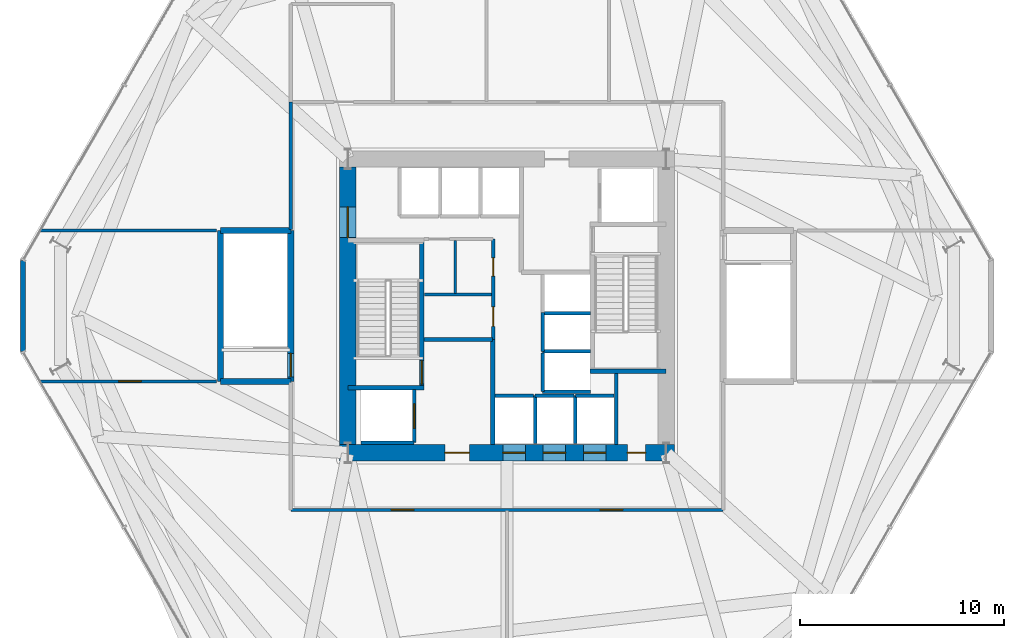
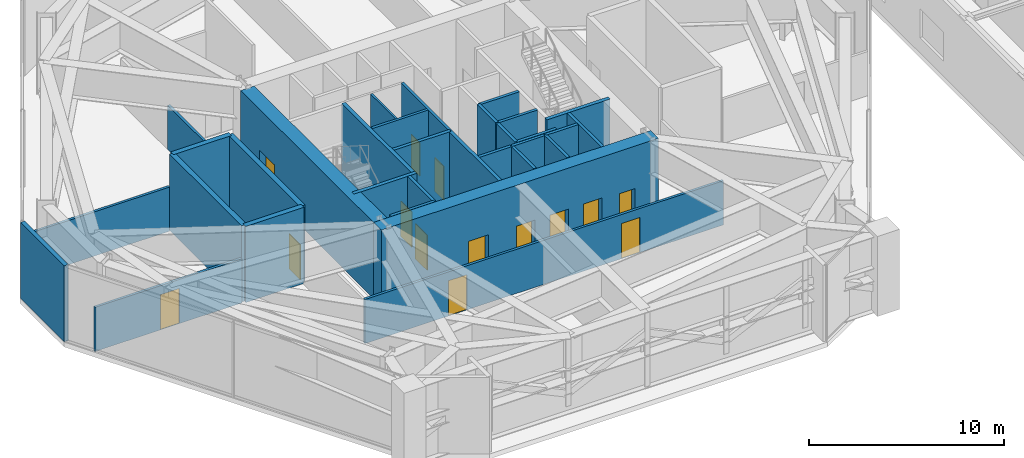
# One storey, part 11 of 16: 32 walls, 14 doors, 14 openings.
"""IFC4 building model written with IfcOpenShell, lengths in metres."""

from ifc_helpers import new_model, si_unit, direction, frame, frame_2d, origin, place, context, subcontext, project, spatial, rectangle, extrude, material, layer, layer_set, type_object, element, fill, save


model = new_model("IFC4")

# Units and contexts
model_context = context("Model", 3, precision=1e-05, world=origin(), true_north=direction((0.0, 1.0)))
body_context = subcontext(model_context, "Body", "Model", "MODEL_VIEW")
ifc_project = project(units=[si_unit("LENGTHUNIT", "METRE"), si_unit("AREAUNIT", "SQUARE_METRE"), si_unit("VOLUMEUNIT", "CUBIC_METRE"), si_unit("PLANEANGLEUNIT", "RADIAN"), si_unit("MASSUNIT", "GRAM", prefix="KILO")], contexts=[model_context])

# Site, building, storey
site_placement = place(None, origin())
site = spatial("IfcSite", under=ifc_project, at=site_placement, CompositionType="ELEMENT")
building_placement = place(site_placement, origin())
building = spatial("IfcBuilding", under=site, at=building_placement, Name="Kranzbogen Civic Tower", CompositionType="ELEMENT")
storey_placement = place(building_placement, frame((0.0, 0.0, 19.0)))
storey = spatial("IfcBuildingStorey", under=building, at=storey_placement, Name="L04", CompositionType="ELEMENT", Elevation=19.0)

# Wall, openings, doors
ifc_material_1 = material(Name="Double-Stud Acoustic Gypsum Partition")
ifc_layer_1 = layer(ifc_material_1, 0.14990234375, Name="Double-Stud Acoustic Gypsum Partition")
ifc_layer_set_1 = layer_set([ifc_layer_1], Name="Double-Stud Acoustic Gypsum Partition")
wall_type_1 = type_object("IfcWallType", Name="Acoustic Corridor and Clinical Partition 150 mm", PredefinedType="PARTITIONING", material=ifc_layer_set_1)
wall_1_placement = place(storey_placement, frame((14.39990234375, 15.0, 0.0), z_axis=(0.0, 0.0, 1.0), x_axis=(1.0, 0.0, 0.0)))
wall_1 = element("IfcWall", 1, at=wall_1_placement, inside=storey, type_object=wall_type_1, Name="L04 podium concourse S wall", PredefinedType="PARTITIONING", context=body_context, shape_type="SweptSolid", body=[
    extrude(rectangle(XDim=21.2001953125, YDim=0.14990234375, at=frame_2d((10.60009765625, 0.0))), origin(), (0.0, 0.0, 1.0), 2.760009765625),
])
opening_1_placement = place(wall_1_placement, frame((4.93408203125, 0.0, 0.0)))
opening_1 = element("IfcOpeningElement", 2, at=opening_1_placement, cuts=wall_1, Name="Opening D-COR60", PredefinedType="OPENING", context=body_context, shape_type="SweptSolid", body=[
    extrude(rectangle(XDim=1.10009765625, YDim=2.199951171875, at=frame_2d((0.550048828125, 1.10009765625))), frame((0.0, 0.0849609375, 0.0), z_axis=(0.0, -1.0, 0.0), x_axis=(1.0, 0.0, 0.0)), (0.0, 0.0, 1.0), 0.169921875),
])
opening_2_placement = place(wall_1_placement, frame((15.166015625, 0.0, 0.0)))
opening_2 = element("IfcOpeningElement", 3, at=opening_2_placement, cuts=wall_1, Name="Opening D-COR60", PredefinedType="OPENING", context=body_context, shape_type="SweptSolid", body=[
    extrude(rectangle(XDim=1.10009765625, YDim=2.199951171875, at=frame_2d((0.550048828125, 1.10009765625))), frame((0.0, 0.0849609375, 0.0), z_axis=(0.0, -1.0, 0.0), x_axis=(1.0, 0.0, 0.0)), (0.0, 0.0, 1.0), 0.169921875),
])
ifc_material_2 = material(Name="Oak Timber and Fire Core", Category="wood")
door_type_1 = type_object("IfcDoorType", Name="Corridor Acoustic Fire Door 1100x2200", OperationType="NOTDEFINED", PredefinedType="DOOR", material=ifc_material_2)
door_1_placement = place(opening_1_placement, origin())
door_1 = element("IfcDoor", 4, at=door_1_placement, inside=storey, type_object=door_type_1, Name="L04 Civic Media Conference Hall door", OperationType="SINGLE_SWING_RIGHT", OverallHeight=2.199951171875, OverallWidth=1.10009765625, PredefinedType="DOOR", context=body_context, shape_type="SweptSolid", body=[
    extrude(rectangle(XDim=1.10009765625, YDim=2.199951171875, at=frame_2d((0.550048828125, 1.10009765625))), frame((0.0, 0.02490234375, 0.0), z_axis=(0.0, -1.0, 0.0), x_axis=(1.0, 0.0, 0.0)), (0.0, 0.0, 1.0), 0.050048828125),
])
fill(opening_1, door_1)
door_2_placement = place(opening_2_placement, origin())
door_2 = element("IfcDoor", 5, at=door_2_placement, inside=storey, type_object=door_type_1, Name="L04 Simultaneous Translation Suite door", OperationType="SINGLE_SWING_LEFT", OverallHeight=2.199951171875, OverallWidth=1.10009765625, PredefinedType="DOOR", context=body_context, shape_type="SweptSolid", body=[
    extrude(rectangle(XDim=1.10009765625, YDim=2.199951171875, at=frame_2d((0.550048828125, 1.10009765625))), frame((0.0, 0.02490234375, 0.0), z_axis=(0.0, -1.0, 0.0), x_axis=(1.0, 0.0, 0.0)), (0.0, 0.0, 1.0), 0.050048828125),
])
fill(opening_2, door_2)

# Wall
wall_2_placement = place(storey_placement, frame((14.39990234375, 28.75, 0.0), z_axis=(0.0, 0.0, 1.0), x_axis=(0.0, 1.0, 0.0)))
element("IfcWall", 6, at=wall_2_placement, inside=storey, type_object=wall_type_1, Name="L04 podium concourse W2 wall", PredefinedType="PARTITIONING", context=body_context, shape_type="SweptSolid", body=[
    extrude(rectangle(XDim=6.25, YDim=0.14990234375, at=frame_2d((3.125, 0.0))), origin(), (0.0, 0.0, 1.0), 2.760009765625),
])

# Wall, opening, door
wall_3_placement = place(storey_placement, frame((2.080078125, 21.300048828125, 0.0), z_axis=(0.0, 0.0, 1.0), x_axis=(1.0, 0.0, 0.0)))
wall_3 = element("IfcWall", 7, at=wall_3_placement, inside=storey, type_object=wall_type_1, Name="L04 podium partition 04", PredefinedType="PARTITIONING", context=body_context, shape_type="SweptSolid", body=[
    extrude(rectangle(XDim=8.68994140625, YDim=0.14990234375, at=frame_2d((4.344970703125, 0.0))), origin(), (0.0, 0.0, 1.0), 2.760009765625),
])
opening_3_placement = place(wall_3_placement, frame((3.884033203125, 0.0, 0.0)))
opening_3 = element("IfcOpeningElement", 8, at=opening_3_placement, cuts=wall_3, Name="Opening D-COR60", PredefinedType="OPENING", context=body_context, shape_type="SweptSolid", body=[
    extrude(rectangle(XDim=1.10009765625, YDim=2.199951171875, at=frame_2d((0.550048828125, 1.10009765625))), frame((0.0, 0.0849609375, 0.0), z_axis=(0.0, -1.0, 0.0), x_axis=(1.0, 0.0, 0.0)), (0.0, 0.0, 1.0), 0.169921875),
])
door_3_placement = place(opening_3_placement, origin())
door_3 = element("IfcDoor", 9, at=door_3_placement, inside=storey, type_object=door_type_1, Name="L04 Technical Audio Control door", OperationType="SINGLE_SWING_LEFT", OverallHeight=2.199951171875, OverallWidth=1.10009765625, PredefinedType="DOOR", context=body_context, shape_type="SweptSolid", body=[
    extrude(rectangle(XDim=1.10009765625, YDim=2.199951171875, at=frame_2d((0.550048828125, 1.10009765625))), frame((0.0, 0.02490234375, 0.0), z_axis=(0.0, -1.0, 0.0), x_axis=(1.0, 0.0, 0.0)), (0.0, 0.0, 1.0), 0.050048828125),
])
fill(opening_3, door_3)

# Walls
wall_4_placement = place(storey_placement, frame((2.080078125, 28.699951171875, 0.0), z_axis=(0.0, 0.0, 1.0), x_axis=(1.0, 0.0, 0.0)))
element("IfcWall", 10, at=wall_4_placement, inside=storey, type_object=wall_type_1, Name="L04 podium partition 05", PredefinedType="PARTITIONING", context=body_context, shape_type="SweptSolid", body=[
    extrude(rectangle(XDim=8.68994140625, YDim=0.14990234375, at=frame_2d((4.344970703125, 0.0))), origin(), (0.0, 0.0, 1.0), 2.760009765625),
])
ifc_material_3 = material(Name="Insulated Metal-Stud Gypsum Partition")
ifc_layer_2 = layer(ifc_material_3, 0.125, Name="Insulated Metal-Stud Gypsum Partition")
ifc_layer_set_2 = layer_set([ifc_layer_2], Name="Insulated Metal-Stud Gypsum Partition")
wall_type_2 = type_object("IfcWallType", Name="Acoustic Inter-Room Partition 125 mm", PredefinedType="PARTITIONING", material=ifc_layer_set_2)
wall_5_placement = place(storey_placement, frame((22.4599609375, 25.6201171875, 0.0), z_axis=(0.0, 0.0, 1.0), x_axis=(0.0, 1.0, 0.0)))
element("IfcWall", 11, at=wall_5_placement, inside=storey, type_object=wall_type_2, Name="L04 core auxiliary partition 2", PredefinedType="PARTITIONING", context=body_context, shape_type="SweptSolid", body=[
    extrude(rectangle(XDim=2.579833984375, YDim=0.125, at=frame_2d((1.2900390625, 0.0))), origin(), (0.0, 0.0, 1.0), 4.760009765625),
])

# Wall, openings, doors
ifc_material_4 = material(Name="Concrete C55/67", Category="concrete")
ifc_layer_3 = layer(ifc_material_4, 0.800048828125, Name="Concrete C55/67")
ifc_layer_set_3 = layer_set([ifc_layer_3], Name="Concrete C55/67")
wall_type_3 = type_object("IfcWallType", Name="Central Core Shear Wall 800 mm", PredefinedType="SHEAR", material=ifc_layer_set_3)
wall_6_placement = place(storey_placement, frame((16.800048828125, 17.800048828125, 0.0), z_axis=(0.0, 0.0, 1.0), x_axis=(1.0, 0.0, 0.0)))
wall_6 = element("IfcWall", 12, at=wall_6_placement, inside=storey, type_object=wall_type_3, Name="L04 central core South shear wall", PredefinedType="SHEAR", context=body_context, shape_type="SweptSolid", body=[
    extrude(rectangle(XDim=16.39990234375, YDim=0.800048828125, at=frame_2d((8.199951171875, 0.0))), origin(), (0.0, 0.0, 1.0), 4.760009765625),
])
opening_4_placement = place(wall_6_placement, frame((5.14990234375, 0.0, 0.0)))
opening_4 = element("IfcOpeningElement", 13, at=opening_4_placement, cuts=wall_6, Name="Opening D-EX120", PredefinedType="OPENING", context=body_context, shape_type="SweptSolid", body=[
    extrude(rectangle(XDim=1.199951171875, YDim=2.25, at=frame_2d((0.60009765625, 1.125))), frame((0.0, 0.41015625, 0.0), z_axis=(0.0, -1.0, 0.0), x_axis=(1.0, 0.0, 0.0)), (0.0, 0.0, 1.0), 0.820068359375),
])
opening_5_placement = place(wall_6_placement, frame((14.10009765625, 0.0, 0.0)))
opening_5 = element("IfcOpeningElement", 14, at=opening_5_placement, cuts=wall_6, Name="Opening D-WC90", PredefinedType="OPENING", context=body_context, shape_type="SweptSolid", body=[
    extrude(rectangle(XDim=0.89990234375, YDim=2.10009765625, at=frame_2d((0.449951171875, 1.050048828125))), frame((0.0, 0.41015625, 0.0), z_axis=(0.0, -1.0, 0.0), x_axis=(1.0, 0.0, 0.0)), (0.0, 0.0, 1.0), 0.820068359375),
])
opening_6_placement = place(wall_6_placement, frame((8.0, 0.0, 0.0)))
opening_6 = element("IfcOpeningElement", 15, at=opening_6_placement, cuts=wall_6, Name="Opening LD-LP-01", PredefinedType="OPENING", context=body_context, shape_type="SweptSolid", body=[
    extrude(rectangle(XDim=1.10009765625, YDim=2.199951171875, at=frame_2d((0.550048828125, 1.10009765625))), frame((0.0, 0.41015625, 0.0), z_axis=(0.0, -1.0, 0.0), x_axis=(1.0, 0.0, 0.0)), (0.0, 0.0, 1.0), 0.820068359375),
])
opening_7_placement = place(wall_6_placement, frame((9.97509765625, 0.0, 0.0)))
opening_7 = element("IfcOpeningElement", 16, at=opening_7_placement, cuts=wall_6, Name="Opening LD-LP-02", PredefinedType="OPENING", context=body_context, shape_type="SweptSolid", body=[
    extrude(rectangle(XDim=1.10009765625, YDim=2.199951171875, at=frame_2d((0.550048828125, 1.10009765625))), frame((0.0, 0.41015625, 0.0), z_axis=(0.0, -1.0, 0.0), x_axis=(1.0, 0.0, 0.0)), (0.0, 0.0, 1.0), 0.820068359375),
])
opening_8_placement = place(wall_6_placement, frame((11.949951171875, 0.0, 0.0)))
opening_8 = element("IfcOpeningElement", 17, at=opening_8_placement, cuts=wall_6, Name="Opening LD-LP-03", PredefinedType="OPENING", context=body_context, shape_type="SweptSolid", body=[
    extrude(rectangle(XDim=1.10009765625, YDim=2.199951171875, at=frame_2d((0.550048828125, 1.10009765625))), frame((0.0, 0.41015625, 0.0), z_axis=(0.0, -1.0, 0.0), x_axis=(1.0, 0.0, 0.0)), (0.0, 0.0, 1.0), 0.820068359375),
])
ifc_material_5 = material(Name="Steel S355", Category="steel")
door_type_2 = type_object("IfcDoorType", Name="Exit Passageway Fire Door 1200x2250", OperationType="NOTDEFINED", PredefinedType="DOOR", material=ifc_material_5)
door_4_placement = place(opening_4_placement, origin())
door_4 = element("IfcDoor", 18, at=door_4_placement, inside=storey, type_object=door_type_2, Name="L04 West firefighting lobby corridor door", OperationType="SINGLE_SWING_RIGHT", OverallHeight=2.25, OverallWidth=1.199951171875, PredefinedType="DOOR", context=body_context, shape_type="SweptSolid", body=[
    extrude(rectangle(XDim=1.199951171875, YDim=2.25, at=frame_2d((0.60009765625, 1.125))), frame((0.0, 0.02490234375, 0.0), z_axis=(0.0, -1.0, 0.0), x_axis=(1.0, 0.0, 0.0)), (0.0, 0.0, 1.0), 0.050048828125),
])
fill(opening_4, door_4)
ifc_material_6 = material(Name="Pale Anodised Aluminium", Category="aluminium")
door_type_3 = type_object("IfcDoorType", Name="Passenger Lift Sliding Landing Door 1100x2200", OperationType="DOUBLE_DOOR_SLIDING", PredefinedType="DOOR", material=ifc_material_6)
door_5_placement = place(opening_6_placement, origin())
door_5 = element("IfcDoor", 19, at=door_5_placement, inside=storey, type_object=door_type_3, Name="L04 lift LP-01 sliding landing door", OperationType="DOUBLE_DOOR_SLIDING", OverallHeight=2.199951171875, OverallWidth=1.10009765625, PredefinedType="DOOR", context=body_context, shape_type="SweptSolid", body=[
    extrude(rectangle(XDim=1.10009765625, YDim=2.199951171875, at=frame_2d((0.550048828125, 1.10009765625))), frame((0.0, 0.02490234375, 0.0), z_axis=(0.0, -1.0, 0.0), x_axis=(1.0, 0.0, 0.0)), (0.0, 0.0, 1.0), 0.050048828125),
])
fill(opening_6, door_5)
door_6_placement = place(opening_7_placement, origin())
door_6 = element("IfcDoor", 20, at=door_6_placement, inside=storey, type_object=door_type_3, Name="L04 lift LP-02 sliding landing door", OperationType="DOUBLE_DOOR_SLIDING", OverallHeight=2.199951171875, OverallWidth=1.10009765625, PredefinedType="DOOR", context=body_context, shape_type="SweptSolid", body=[
    extrude(rectangle(XDim=1.10009765625, YDim=2.199951171875, at=frame_2d((0.550048828125, 1.10009765625))), frame((0.0, 0.02490234375, 0.0), z_axis=(0.0, -1.0, 0.0), x_axis=(1.0, 0.0, 0.0)), (0.0, 0.0, 1.0), 0.050048828125),
])
fill(opening_7, door_6)
door_7_placement = place(opening_8_placement, origin())
door_7 = element("IfcDoor", 21, at=door_7_placement, inside=storey, type_object=door_type_3, Name="L04 lift LP-03 sliding landing door", OperationType="DOUBLE_DOOR_SLIDING", OverallHeight=2.199951171875, OverallWidth=1.10009765625, PredefinedType="DOOR", context=body_context, shape_type="SweptSolid", body=[
    extrude(rectangle(XDim=1.10009765625, YDim=2.199951171875, at=frame_2d((0.550048828125, 1.10009765625))), frame((0.0, 0.02490234375, 0.0), z_axis=(0.0, -1.0, 0.0), x_axis=(1.0, 0.0, 0.0)), (0.0, 0.0, 1.0), 0.050048828125),
])
fill(opening_8, door_7)
ifc_material_7 = material(Name="Moisture-Resistant Laminate")
door_type_4 = type_object("IfcDoorType", Name="Standard Restroom and Store Door 900x2100", OperationType="NOTDEFINED", PredefinedType="DOOR", material=ifc_material_7)
door_8_placement = place(opening_5_placement, origin())
door_8 = element("IfcDoor", 22, at=door_8_placement, inside=storey, type_object=door_type_4, Name="L04 East electrical riser access door", OperationType="SINGLE_SWING_LEFT", OverallHeight=2.10009765625, OverallWidth=0.89990234375, PredefinedType="DOOR", context=body_context, shape_type="SweptSolid", body=[
    extrude(rectangle(XDim=0.89990234375, YDim=2.10009765625, at=frame_2d((0.449951171875, 1.050048828125))), frame((0.0, 0.02490234375, 0.0), z_axis=(0.0, -1.0, 0.0), x_axis=(1.0, 0.0, 0.0)), (0.0, 0.0, 1.0), 0.050048828125),
])
fill(opening_5, door_8)

# Wall, opening, door
wall_7_placement = place(storey_placement, frame((17.199951171875, 31.800048828125, 0.0), z_axis=(0.0, 0.0, 1.0), x_axis=(0.0, -1.0, 0.0)))
wall_7 = element("IfcWall", 23, at=wall_7_placement, inside=storey, type_object=wall_type_3, Name="L04 central core West shear wall", PredefinedType="SHEAR", context=body_context, shape_type="SweptSolid", body=[
    extrude(rectangle(XDim=13.60009765625, YDim=0.800048828125, at=frame_2d((6.800048828125, 0.0))), origin(), (0.0, 0.0, 1.0), 4.760009765625),
])
opening_9_placement = place(wall_7_placement, frame((1.949951171875, 0.0, 0.0)))
opening_9 = element("IfcOpeningElement", 24, at=opening_9_placement, cuts=wall_7, Name="Opening D-DBL15", PredefinedType="OPENING", context=body_context, shape_type="SweptSolid", body=[
    extrude(rectangle(XDim=1.5, YDim=2.199951171875, at=frame_2d((0.75, 1.10009765625))), frame((0.0, 0.41015625, 0.0), z_axis=(0.0, -1.0, 0.0), x_axis=(1.0, 0.0, 0.0)), (0.0, 0.0, 1.0), 0.820068359375),
])
ifc_material_8 = material(Name="Anodised Bronze and Glass", Category="glass")
door_type_5 = type_object("IfcDoorType", Name="Civic Lobby Double Door 1500x2200", OperationType="DOUBLE_DOOR_SINGLE_SWING", PredefinedType="DOOR", material=ifc_material_8)
door_9_placement = place(opening_9_placement, origin())
door_9 = element("IfcDoor", 25, at=door_9_placement, inside=storey, type_object=door_type_5, Name="L04 Central Lift Lobby West concourse door", OperationType="DOUBLE_DOOR_SINGLE_SWING", OverallHeight=2.199951171875, OverallWidth=1.5, PredefinedType="DOOR", context=body_context, shape_type="SweptSolid", body=[
    extrude(rectangle(XDim=1.5, YDim=2.199951171875, at=frame_2d((0.75, 1.10009765625))), frame((0.0, 0.02490234375, 0.0), z_axis=(0.0, -1.0, 0.0), x_axis=(1.0, 0.0, 0.0)), (0.0, 0.0, 1.0), 0.050048828125),
])
fill(opening_9, door_9)

ifc_material_9 = material(Name="Concrete C45/55", Category="concrete")
ifc_layer_4 = layer(ifc_material_9, 0.219970703125, Name="Concrete C45/55")
ifc_layer_set_4 = layer_set([ifc_layer_4], Name="Concrete C45/55")
wall_type_4 = type_object("IfcWallType", Name="Core Internal Stair Structural Wall 220 mm", PredefinedType="SOLIDWALL", material=ifc_layer_set_4)
wall_8_placement = place(storey_placement, frame((20.81005859375, 20.989990234375, 0.0), z_axis=(0.0, 0.0, 1.0), x_axis=(0.0, 1.0, 0.0)))
wall_8 = element("IfcWall", 26, at=wall_8_placement, inside=storey, type_object=wall_type_4, Name="L04 ST-T1 East structural stair wall", PredefinedType="SOLIDWALL", context=body_context, shape_type="SweptSolid", body=[
    extrude(rectangle(XDim=7.219970703125, YDim=0.219970703125, at=frame_2d((3.60986328125, 0.0))), origin(), (0.0, 0.0, 1.0), 4.760009765625),
])
opening_10_placement = place(wall_8_placement, frame((0.179931640625, 0.0, 0.0)))
opening_10 = element("IfcOpeningElement", 27, at=opening_10_placement, cuts=wall_8, Name="Opening D-ST90", PredefinedType="OPENING", context=body_context, shape_type="SweptSolid", body=[
    extrude(rectangle(XDim=1.14990234375, YDim=2.199951171875, at=frame_2d((0.574951171875, 1.10009765625))), frame((0.0, 0.1201171875, 0.0), z_axis=(0.0, -1.0, 0.0), x_axis=(1.0, 0.0, 0.0)), (0.0, 0.0, 1.0), 0.239990234375),
])
door_type_6 = type_object("IfcDoorType", Name="Pressurized Stair and Lobby Fire Door 1150x2200", OperationType="NOTDEFINED", PredefinedType="DOOR", material=ifc_material_5)
door_10_placement = place(opening_10_placement, origin())
door_10 = element("IfcDoor", 28, at=door_10_placement, inside=storey, type_object=door_type_6, Name="L04 Stair ST-T1 fire door", OperationType="SINGLE_SWING_RIGHT", OverallHeight=2.199951171875, OverallWidth=1.14990234375, PredefinedType="DOOR", context=body_context, shape_type="SweptSolid", body=[
    extrude(rectangle(XDim=1.14990234375, YDim=2.199951171875, at=frame_2d((0.574951171875, 1.10009765625))), frame((0.0, 0.02490234375, 0.0), z_axis=(0.0, -1.0, 0.0), x_axis=(1.0, 0.0, 0.0)), (0.0, 0.0, 1.0), 0.050048828125),
])
fill(opening_10, door_10)

# Walls
for number, where, z_axis, x_axis, name in (
    (29, (17.199951171875, 20.989990234375, 0.0), (0.0, 0.0, 1.0), (1.0, 0.0, 0.0), "L04 ST-T1 South structural stair wall"),
    (30, (29.080078125, 21.7900390625, 0.0), (0.0, 0.0, 1.0), (1.0, 0.0, 0.0), "L04 ST-T2 South structural stair wall"),
):
    element("IfcWall", number, at=place(storey_placement, frame(where, z_axis=z_axis, x_axis=x_axis)), inside=storey, type_object=wall_type_4, Name=name, PredefinedType="SOLIDWALL", context=body_context, shape_type="SweptSolid", body=[
        extrude(rectangle(XDim=3.719970703125, YDim=0.219970703125, at=frame_2d((1.85986328125, 0.0))), origin(), (0.0, 0.0, 1.0), 4.760009765625),
    ])
ifc_material_10 = material(Name="Gypsum Fireboard and Concrete Block", Category="concrete")
ifc_layer_5 = layer(ifc_material_10, 0.199951171875, Name="Gypsum Fireboard and Concrete Block")
ifc_layer_set_5 = layer_set([ifc_layer_5], Name="Gypsum Fireboard and Concrete Block")
wall_type_5 = type_object("IfcWallType", Name="Fire-Rated Exit Passageway and Stair Wall 200 mm", PredefinedType="PARTITIONING", material=ifc_layer_set_5)
wall_9_placement = place(storey_placement, frame((24.300048828125, 18.199951171875, 0.0), z_axis=(0.0, 0.0, 1.0), x_axis=(0.0, 1.0, 0.0)))
element("IfcWall", 31, at=wall_9_placement, inside=storey, type_object=wall_type_5, Name="L04 West firefighting lobby East wall", PredefinedType="PARTITIONING", context=body_context, shape_type="SweptSolid", body=[
    extrude(rectangle(XDim=5.150146484375, YDim=0.199951171875, at=frame_2d((2.5751953125, 0.0))), origin(), (0.0, 0.0, 1.0), 4.760009765625),
])
wall_10_placement = place(storey_placement, frame((20.919921875, 23.35009765625, 0.0), z_axis=(0.0, 0.0, 1.0), x_axis=(1.0, 0.0, 0.0)))
element("IfcWall", 32, at=wall_10_placement, inside=storey, type_object=wall_type_5, Name="L04 West firefighting lobby North wall", PredefinedType="PARTITIONING", context=body_context, shape_type="SweptSolid", body=[
    extrude(rectangle(XDim=3.380126953125, YDim=0.199951171875, at=frame_2d((1.68994140625, 0.0))), origin(), (0.0, 0.0, 1.0), 4.760009765625),
])
ifc_material_11 = material(Name="Gypsum Fireboard Shaftliner")
ifc_layer_6 = layer(ifc_material_11, 0.175048828125, Name="Gypsum Fireboard Shaftliner")
ifc_layer_set_6 = layer_set([ifc_layer_6], Name="Gypsum Fireboard Shaftliner")
wall_type_6 = type_object("IfcWallType", Name="Fire-Rated Lift and Service Shaft Wall 175 mm", PredefinedType="PARTITIONING", material=ifc_layer_set_6)
wall_11_placement = place(storey_placement, frame((30.35009765625, 18.199951171875, 0.0), z_axis=(0.0, 0.0, 1.0), x_axis=(0.0, 1.0, 0.0)))
element("IfcWall", 33, at=wall_11_placement, inside=storey, type_object=wall_type_6, Name="L04 East core riser West wall", PredefinedType="PARTITIONING", context=body_context, shape_type="SweptSolid", body=[
    extrude(rectangle(XDim=3.47998046875, YDim=0.175048828125, at=frame_2d((1.739990234375, 0.0))), origin(), (0.0, 0.0, 1.0), 4.760009765625),
])
wall_12_placement = place(storey_placement, frame((24.39990234375, 20.60009765625, 0.0), z_axis=(0.0, 0.0, 1.0), x_axis=(1.0, 0.0, 0.0)))
element("IfcWall", 34, at=wall_12_placement, inside=storey, type_object=wall_type_6, Name="L04 lift LP-01 rear wall", PredefinedType="PARTITIONING", context=body_context, shape_type="SweptSolid", body=[
    extrude(rectangle(XDim=1.900146484375, YDim=0.175048828125, at=frame_2d((0.9501953125, 0.0))), origin(), (0.0, 0.0, 1.0), 4.760009765625),
])
wall_13_placement = place(storey_placement, frame((26.375, 20.60009765625, 0.0), z_axis=(0.0, 0.0, 1.0), x_axis=(1.0, 0.0, 0.0)))
element("IfcWall", 35, at=wall_13_placement, inside=storey, type_object=wall_type_6, Name="L04 lift LP-02 rear wall", PredefinedType="PARTITIONING", context=body_context, shape_type="SweptSolid", body=[
    extrude(rectangle(XDim=1.89990234375, YDim=0.175048828125, at=frame_2d((0.949951171875, 0.0))), origin(), (0.0, 0.0, 1.0), 4.760009765625),
])
wall_14_placement = place(storey_placement, frame((26.375, 18.25, 0.0), z_axis=(0.0, 0.0, 1.0), x_axis=(0.0, 1.0, 0.0)))
element("IfcWall", 36, at=wall_14_placement, inside=storey, type_object=wall_type_6, Name="L04 lift LP-02 side wall", PredefinedType="PARTITIONING", context=body_context, shape_type="SweptSolid", body=[
    extrude(rectangle(XDim=2.35009765625, YDim=0.175048828125, at=frame_2d((1.175048828125, 0.0))), origin(), (0.0, 0.0, 1.0), 4.760009765625),
])
wall_15_placement = place(storey_placement, frame((28.35009765625, 20.60009765625, 0.0), z_axis=(0.0, 0.0, 1.0), x_axis=(1.0, 0.0, 0.0)))
element("IfcWall", 37, at=wall_15_placement, inside=storey, type_object=wall_type_6, Name="L04 lift LP-03 rear wall", PredefinedType="PARTITIONING", context=body_context, shape_type="SweptSolid", body=[
    extrude(rectangle(XDim=1.89990234375, YDim=0.175048828125, at=frame_2d((0.949951171875, 0.0))), origin(), (0.0, 0.0, 1.0), 4.760009765625),
])
wall_16_placement = place(storey_placement, frame((28.35009765625, 18.25, 0.0), z_axis=(0.0, 0.0, 1.0), x_axis=(0.0, 1.0, 0.0)))
element("IfcWall", 38, at=wall_16_placement, inside=storey, type_object=wall_type_6, Name="L04 lift LP-03 side wall", PredefinedType="PARTITIONING", context=body_context, shape_type="SweptSolid", body=[
    extrude(rectangle(XDim=2.35009765625, YDim=0.175048828125, at=frame_2d((1.175048828125, 0.0))), origin(), (0.0, 0.0, 1.0), 4.760009765625),
])
wall_17_placement = place(storey_placement, frame((26.75, 20.800048828125, 0.0), z_axis=(0.0, 0.0, 1.0), x_axis=(0.0, 1.0, 0.0)))
element("IfcWall", 39, at=wall_17_placement, inside=storey, type_object=wall_type_6, Name="L04 lift HP-01 landing wall", PredefinedType="PARTITIONING", context=body_context, shape_type="SweptSolid", body=[
    extrude(rectangle(XDim=1.89990234375, YDim=0.175048828125, at=frame_2d((0.949951171875, 0.0))), origin(), (0.0, 0.0, 1.0), 4.760009765625),
])
wall_18_placement = place(storey_placement, frame((26.75, 20.800048828125, 0.0), z_axis=(0.0, 0.0, 1.0), x_axis=(1.0, 0.0, 0.0)))
element("IfcWall", 40, at=wall_18_placement, inside=storey, type_object=wall_type_6, Name="L04 lift HP-01 side wall", PredefinedType="PARTITIONING", context=body_context, shape_type="SweptSolid", body=[
    extrude(rectangle(XDim=2.35009765625, YDim=0.175048828125, at=frame_2d((1.175048828125, 0.0))), origin(), (0.0, 0.0, 1.0), 4.760009765625),
])
wall_19_placement = place(storey_placement, frame((26.75, 22.77490234375, 0.0), z_axis=(0.0, 0.0, 1.0), x_axis=(0.0, 1.0, 0.0)))
element("IfcWall", 41, at=wall_19_placement, inside=storey, type_object=wall_type_6, Name="L04 lift HP-02 landing wall", PredefinedType="PARTITIONING", context=body_context, shape_type="SweptSolid", body=[
    extrude(rectangle(XDim=1.900146484375, YDim=0.175048828125, at=frame_2d((0.9501953125, 0.0))), origin(), (0.0, 0.0, 1.0), 4.760009765625),
])
for number, where, z_axis, x_axis, name in (
    (42, (26.75, 22.77490234375, 0.0), (0.0, 0.0, 1.0), (1.0, 0.0, 0.0), "L04 lift HP-02 side wall"),
    (43, (26.75, 24.64990234375, 0.0), (0.0, 0.0, 1.0), (1.0, 0.0, 0.0), "L04 lift HP-03 side wall"),
):
    element("IfcWall", number, at=place(storey_placement, frame(where, z_axis=z_axis, x_axis=x_axis)), inside=storey, type_object=wall_type_6, Name=name, PredefinedType="PARTITIONING", context=body_context, shape_type="SweptSolid", body=[
        extrude(rectangle(XDim=2.35009765625, YDim=0.175048828125, at=frame_2d((1.175048828125, 0.0))), origin(), (0.0, 0.0, 1.0), 4.760009765625),
    ])

# Wall, opening, door
wall_20_placement = place(storey_placement, frame((20.449951171875, 18.300048828125, 0.0), z_axis=(0.0, 0.0, 1.0), x_axis=(0.0, 1.0, 0.0)))
wall_20 = element("IfcWall", 44, at=wall_20_placement, inside=storey, type_object=wall_type_6, Name="L04 lift FF-01 landing wall", PredefinedType="PARTITIONING", context=body_context, shape_type="SweptSolid", body=[
    extrude(rectangle(XDim=2.599853515625, YDim=0.175048828125, at=frame_2d((1.2998046875, 0.0))), origin(), (0.0, 0.0, 1.0), 4.760009765625),
])
opening_11_placement = place(wall_20_placement, frame((0.699951171875, 0.0, 0.0)))
opening_11 = element("IfcOpeningElement", 45, at=opening_11_placement, cuts=wall_20, Name="Opening LD-FF-01", PredefinedType="OPENING", context=body_context, shape_type="SweptSolid", body=[
    extrude(rectangle(XDim=1.199951171875, YDim=2.199951171875, at=frame_2d((0.60009765625, 1.10009765625))), frame((0.0, 0.09765625, 0.0), z_axis=(0.0, -1.0, 0.0), x_axis=(1.0, 0.0, 0.0)), (0.0, 0.0, 1.0), 0.195068359375),
])
door_type_7 = type_object("IfcDoorType", Name="Firefighting and Stretcher Lift Sliding Landing Door 1200x2200", OperationType="DOUBLE_DOOR_SLIDING", PredefinedType="DOOR", material=ifc_material_6)
door_11_placement = place(opening_11_placement, origin())
door_11 = element("IfcDoor", 46, at=door_11_placement, inside=storey, type_object=door_type_7, Name="L04 lift FF-01 sliding landing door", OperationType="DOUBLE_DOOR_SLIDING", OverallHeight=2.199951171875, OverallWidth=1.199951171875, PredefinedType="DOOR", context=body_context, shape_type="SweptSolid", body=[
    extrude(rectangle(XDim=1.199951171875, YDim=2.199951171875, at=frame_2d((0.60009765625, 1.10009765625))), frame((0.0, 0.02490234375, 0.0), z_axis=(0.0, -1.0, 0.0), x_axis=(1.0, 0.0, 0.0)), (0.0, 0.0, 1.0), 0.050048828125),
])
fill(opening_11, door_11)

# Walls
wall_21_placement = place(storey_placement, frame((17.85009765625, 18.300048828125, 0.0), z_axis=(0.0, 0.0, 1.0), x_axis=(1.0, 0.0, 0.0)))
element("IfcWall", 47, at=wall_21_placement, inside=storey, type_object=wall_type_6, Name="L04 lift FF-01 side wall", PredefinedType="PARTITIONING", context=body_context, shape_type="SweptSolid", body=[
    extrude(rectangle(XDim=2.599853515625, YDim=0.175048828125, at=frame_2d((1.2998046875, 0.0))), origin(), (0.0, 0.0, 1.0), 4.760009765625),
])
ifc_layer_7 = layer(ifc_material_6, 0.239990234375, Name="Pale Anodised Aluminium")
ifc_layer_set_7 = layer_set([ifc_layer_7], Name="Pale Anodised Aluminium")
wall_type_7 = type_object("IfcWallType", Name="Insulated Aluminium Facade Portal Wall 240 mm", PredefinedType="STANDARD", material=ifc_layer_set_7)
wall_22_placement = place(storey_placement, frame((1.26611328125, 27.237060546875, 0.0), z_axis=(0.0, 0.0, 1.0), x_axis=(0.0, -1.0, 0.0)))
element("IfcWall", 48, at=wall_22_placement, inside=storey, type_object=wall_type_7, Name="L04 chamfered corner facade spandrel 3", PredefinedType="STANDARD", context=body_context, shape_type="SweptSolid", body=[
    extrude(rectangle(XDim=4.47412109375, YDim=0.239990234375, at=frame_2d((2.237060546875, 0.0))), origin(), (0.0, 0.0, 1.0), 4.760009765625),
])

# Wall, openings, doors
ifc_material_12 = material(Name="Moisture-Resistant Gypsum Assembly")
ifc_layer_8 = layer(ifc_material_12, 0.159912109375, Name="Moisture-Resistant Gypsum Assembly")
ifc_layer_set_8 = layer_set([ifc_layer_8], Name="Moisture-Resistant Gypsum Assembly")
wall_type_8 = type_object("IfcWallType", Name="Sanitary and Plumbing Wet Wall 160 mm", PredefinedType="PLUMBINGWALL", material=ifc_layer_set_8)
wall_23_placement = place(storey_placement, frame((24.324951171875, 23.35009765625, 0.0), z_axis=(0.0, 0.0, 1.0), x_axis=(0.0, 1.0, 0.0)))
wall_23 = element("IfcWall", 49, at=wall_23_placement, inside=storey, type_object=wall_type_8, Name="L04 core auxiliary East wall", PredefinedType="PLUMBINGWALL", context=body_context, shape_type="SweptSolid", body=[
    extrude(rectangle(XDim=4.929931640625, YDim=0.159912109375, at=frame_2d((2.46484375, 0.0))), origin(), (0.0, 0.0, 1.0), 4.760009765625),
])
opening_12_placement = place(wall_23_placement, frame((0.64990234375, 0.0, 0.0)))
opening_12 = element("IfcOpeningElement", 50, at=opening_12_placement, cuts=wall_23, Name="Opening D-AWC95", PredefinedType="OPENING", context=body_context, shape_type="SweptSolid", body=[
    extrude(rectangle(XDim=0.949951171875, YDim=2.10009765625, at=frame_2d((0.47509765625, 1.050048828125))), frame((0.0, 0.08984375, 0.0), z_axis=(0.0, -1.0, 0.0), x_axis=(1.0, 0.0, 0.0)), (0.0, 0.0, 1.0), 0.179931640625),
])
opening_13_placement = place(wall_23_placement, frame((3.110107421875, 0.0, 0.0)))
opening_13 = element("IfcOpeningElement", 51, at=opening_13_placement, cuts=wall_23, Name="Opening D-WC90", PredefinedType="OPENING", context=body_context, shape_type="SweptSolid", body=[
    extrude(rectangle(XDim=0.89990234375, YDim=2.10009765625, at=frame_2d((0.449951171875, 1.050048828125))), frame((0.0, 0.08984375, 0.0), z_axis=(0.0, -1.0, 0.0), x_axis=(1.0, 0.0, 0.0)), (0.0, 0.0, 1.0), 0.179931640625),
])
door_type_8 = type_object("IfcDoorType", Name="Accessible Restroom Door 950x2100", OperationType="NOTDEFINED", PredefinedType="DOOR", material=ifc_material_7)
door_12_placement = place(opening_12_placement, origin())
door_12 = element("IfcDoor", 52, at=door_12_placement, inside=storey, type_object=door_type_8, Name="L04 Accessible Restroom door", OperationType="SINGLE_SWING_RIGHT", OverallHeight=2.10009765625, OverallWidth=0.949951171875, PredefinedType="DOOR", context=body_context, shape_type="SweptSolid", body=[
    extrude(rectangle(XDim=0.949951171875, YDim=2.10009765625, at=frame_2d((0.47509765625, 1.050048828125))), frame((0.0, 0.02490234375, 0.0), z_axis=(0.0, -1.0, 0.0), x_axis=(1.0, 0.0, 0.0)), (0.0, 0.0, 1.0), 0.050048828125),
])
fill(opening_12, door_12)
door_13_placement = place(opening_13_placement, origin())
door_13 = element("IfcDoor", 53, at=door_13_placement, inside=storey, type_object=door_type_4, Name="L04 Staff Restroom door", OperationType="SINGLE_SWING_RIGHT", OverallHeight=2.10009765625, OverallWidth=0.89990234375, PredefinedType="DOOR", context=body_context, shape_type="SweptSolid", body=[
    extrude(rectangle(XDim=0.89990234375, YDim=2.10009765625, at=frame_2d((0.449951171875, 1.050048828125))), frame((0.0, 0.02490234375, 0.0), z_axis=(0.0, -1.0, 0.0), x_axis=(1.0, 0.0, 0.0)), (0.0, 0.0, 1.0), 0.050048828125),
])
fill(opening_13, door_13)

# Wall
wall_24_placement = place(storey_placement, frame((20.949951171875, 25.56005859375, 0.0), z_axis=(0.0, 0.0, 1.0), x_axis=(1.0, 0.0, 0.0)))
element("IfcWall", 54, at=wall_24_placement, inside=storey, type_object=wall_type_8, Name="L04 core auxiliary partition 1", PredefinedType="PLUMBINGWALL", context=body_context, shape_type="SweptSolid", body=[
    extrude(rectangle(XDim=3.300048828125, YDim=0.159912109375, at=frame_2d((1.64990234375, 0.0))), origin(), (0.0, 0.0, 1.0), 4.760009765625),
])

# Wall, opening, door
ifc_material_13 = material(Name="Concrete C40/50", Category="concrete")
ifc_layer_9 = layer(ifc_material_13, 0.300048828125, Name="Concrete C40/50")
ifc_layer_set_9 = layer_set([ifc_layer_9], Name="Concrete C40/50")
wall_type_9 = type_object("IfcWallType", Name="Structural Ramp and Stair Shaft Wall 300 mm", PredefinedType="SOLIDWALL", material=ifc_layer_set_9)
wall_25_placement = place(storey_placement, frame((14.39990234375, 21.300048828125, 0.0), z_axis=(0.0, 0.0, 1.0), x_axis=(0.0, 1.0, 0.0)))
wall_25 = element("IfcWall", 55, at=wall_25_placement, inside=storey, type_object=wall_type_9, Name="L04 STP1 E structural stair wall", PredefinedType="SOLIDWALL", context=body_context, shape_type="SweptSolid", body=[
    extrude(rectangle(XDim=7.39990234375, YDim=0.300048828125, at=frame_2d((3.699951171875, 0.0))), origin(), (0.0, 0.0, 1.0), 4.760009765625),
])
opening_14_placement = place(wall_25_placement, frame((0.219970703125, 0.0, 0.0)))
opening_14 = element("IfcOpeningElement", 56, at=opening_14_placement, cuts=wall_25, Name="Opening D-ST90", PredefinedType="OPENING", context=body_context, shape_type="SweptSolid", body=[
    extrude(rectangle(XDim=1.14990234375, YDim=2.199951171875, at=frame_2d((0.574951171875, 1.10009765625))), frame((0.0, 0.16015625, 0.0), z_axis=(0.0, -1.0, 0.0), x_axis=(1.0, 0.0, 0.0)), (0.0, 0.0, 1.0), 0.320068359375),
])
door_14_placement = place(opening_14_placement, origin())
door_14 = element("IfcDoor", 57, at=door_14_placement, inside=storey, type_object=door_type_6, Name="L04 Podium Stair 1 fire door", OperationType="SINGLE_SWING_LEFT", OverallHeight=2.199951171875, OverallWidth=1.14990234375, PredefinedType="DOOR", context=body_context, shape_type="SweptSolid", body=[
    extrude(rectangle(XDim=1.14990234375, YDim=2.199951171875, at=frame_2d((0.574951171875, 1.10009765625))), frame((0.0, 0.02490234375, 0.0), z_axis=(0.0, -1.0, 0.0), x_axis=(1.0, 0.0, 0.0)), (0.0, 0.0, 1.0), 0.050048828125),
])
fill(opening_14, door_14)

# Walls
wall_26_placement = place(storey_placement, frame((10.949951171875, 21.300048828125, 0.0), z_axis=(0.0, 0.0, 1.0), x_axis=(0.0, 1.0, 0.0)))
element("IfcWall", 58, at=wall_26_placement, inside=storey, type_object=wall_type_9, Name="L04 STP1 W structural stair wall", PredefinedType="SOLIDWALL", context=body_context, shape_type="SweptSolid", body=[
    extrude(rectangle(XDim=7.39990234375, YDim=0.300048828125, at=frame_2d((3.699951171875, 0.0))), origin(), (0.0, 0.0, 1.0), 4.760009765625),
])
for number, where, z_axis, x_axis, name in (
    (59, (10.949951171875, 21.300048828125, 0.0), (0.0, 0.0, 1.0), (1.0, 0.0, 0.0), "L04 STP1 S structural stair wall"),
    (60, (10.949951171875, 28.699951171875, 0.0), (0.0, 0.0, 1.0), (1.0, 0.0, 0.0), "L04 STP1 N structural stair wall"),
):
    element("IfcWall", number, at=place(storey_placement, frame(where, z_axis=z_axis, x_axis=x_axis)), inside=storey, type_object=wall_type_9, Name=name, PredefinedType="SOLIDWALL", context=body_context, shape_type="SweptSolid", body=[
        extrude(rectangle(XDim=3.449951171875, YDim=0.300048828125, at=frame_2d((1.72509765625, 0.0))), origin(), (0.0, 0.0, 1.0), 4.760009765625),
    ])

save(model, "model.ifc")
